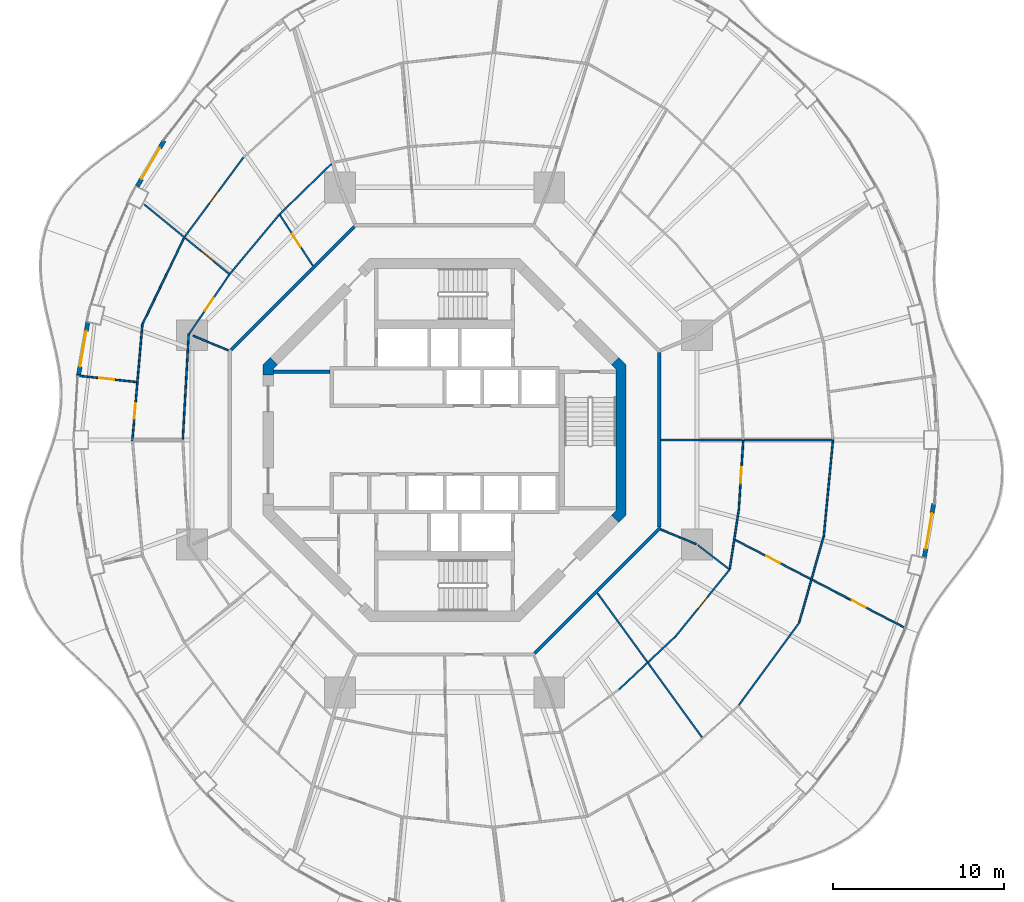
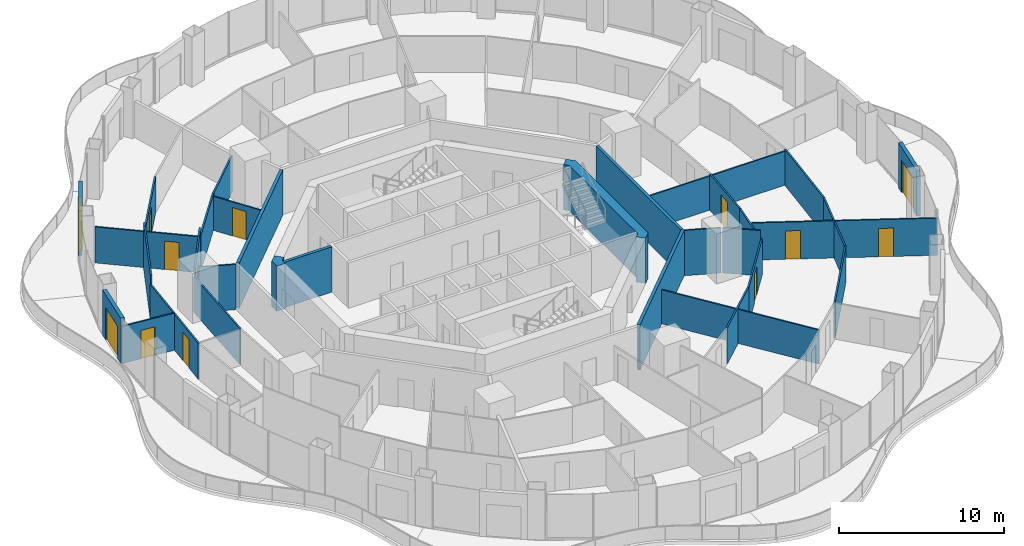
# One storey, part 13 of 19: 32 walls, 13 doors, 13 openings.
"""IFC4 building model written with IfcOpenShell, lengths in metres."""

from ifc_helpers import new_model, si_unit, direction, frame, frame_2d, origin, place, context, subcontext, project, spatial, polyline, rectangle, outline, extrude, material, layer, layer_set, type_object, element, fill, save


model = new_model("IFC4")

# Units and contexts
model_context = context("Model", 3, precision=1e-05, world=origin(), true_north=direction((0.0, 1.0)))
body_context = subcontext(model_context, "Body", "Model", "MODEL_VIEW")
ifc_project = project(units=[si_unit("LENGTHUNIT", "METRE"), si_unit("AREAUNIT", "SQUARE_METRE"), si_unit("VOLUMEUNIT", "CUBIC_METRE"), si_unit("PLANEANGLEUNIT", "RADIAN"), si_unit("MASSUNIT", "GRAM", prefix="KILO")], contexts=[model_context])

# Site, building, storey
site_placement = place(None, origin())
site = spatial("IfcSite", under=ifc_project, at=site_placement, CompositionType="ELEMENT")
building_placement = place(site_placement, origin())
building = spatial("IfcBuilding", under=site, at=building_placement, Name="Nagisa Residences", CompositionType="ELEMENT")
storey_placement = place(building_placement, frame((0.0, 0.0, 202.89990234375)))
storey = spatial("IfcBuildingStorey", under=building, at=storey_placement, Name="L51", CompositionType="ELEMENT", Elevation=202.89990234375)

# Walls
ifc_material_1 = material(Name="Gypsum board on steel studs", Category="steel")
ifc_layer_1 = layer(ifc_material_1, 0.199951171875)
ifc_layer_set_1 = layer_set([ifc_layer_1], Name="Apartment entry wall EI60 200")
wall_type_1 = type_object("IfcWallType", Name="Apartment entry wall EI60 200", PredefinedType="PARTITIONING", material=ifc_layer_set_1)
wall_1_placement = place(storey_placement, frame((12.564697265625, -5.1044921875, 0.0), z_axis=(0.0, 0.0, 1.0), x_axis=(0.0, 1.0, 0.0)))
element("IfcWall", 1, at=wall_1_placement, inside=storey, type_object=wall_type_1, Name="wall:L51:u06", PredefinedType="PARTITIONING", context=body_context, shape_type="SweptSolid", body=[
    extrude(rectangle(XDim=10.208984375, YDim=0.199951171875, at=frame_2d((5.1044921875, 0.0))), origin(), (0.0, 0.0, 1.0), 3.35009765625),
])
wall_2_placement = place(storey_placement, frame((-5.275146484375, 12.494140625, 0.0), z_axis=(0.0, 0.0, 1.0), x_axis=(-0.707106781187, -0.707106781187, 0.0)))
element("IfcWall", 2, at=wall_2_placement, inside=storey, type_object=wall_type_1, Name="wall:L51:u09", PredefinedType="PARTITIONING", context=body_context, shape_type="SweptSolid", body=[
    extrude(rectangle(XDim=10.209228515625, YDim=0.199951171875, at=frame_2d((5.1044921875, 0.0))), origin(), (0.0, 0.0, 1.0), 3.35009765625),
])
wall_3_placement = place(storey_placement, frame((5.275146484375, -12.494140625, 0.0), z_axis=(0.0, 0.0, 1.0), x_axis=(0.707106781187, 0.707106781187, 0.0)))
element("IfcWall", 3, at=wall_3_placement, inside=storey, type_object=wall_type_1, Name="wall:L51:u13", PredefinedType="PARTITIONING", context=body_context, shape_type="SweptSolid", body=[
    extrude(rectangle(XDim=10.4091796875, YDim=0.199951171875, at=frame_2d((5.20458984375, 0.0))), origin(), (0.0, 0.0, 1.0), 3.35009765625),
])
ifc_material_2 = material(Name="Gypsum board on steel studs", Category="steel")
ifc_layer_2 = layer(ifc_material_2, 0.10009765625)
ifc_layer_set_2 = layer_set([ifc_layer_2], Name="Apartment partition 100")
wall_type_2 = type_object("IfcWallType", Name="Apartment partition 100", PredefinedType="PARTITIONING", material=ifc_layer_set_2)
wall_4_placement = place(storey_placement, frame((12.664794921875, 0.0, 0.0), z_axis=(0.0, 0.0, 1.0), x_axis=(1.0, 0.0, 0.0)))
element("IfcWall", 4, at=wall_4_placement, inside=storey, type_object=wall_type_2, Name="wall:L51:u14", PredefinedType="PARTITIONING", context=body_context, shape_type="SweptSolid", body=[
    extrude(rectangle(XDim=10.124267578125, YDim=0.10009765625, at=frame_2d((5.06201171875, 0.0))), origin(), (0.0, 0.0, 1.0), 2.51513671875),
])

# Wall, opening, door
wall_5_placement = place(storey_placement, frame((17.484619140625, -0.0498046875, 0.0), z_axis=(0.0, 0.0, 1.0), x_axis=(-0.063673473968, -0.997970785501, 0.0)))
wall_5 = element("IfcWall", 5, at=wall_5_placement, inside=storey, type_object=wall_type_2, Name="wall:L51:u16", PredefinedType="PARTITIONING", context=body_context, shape_type="SweptSolid", body=[
    extrude(rectangle(XDim=4.072021484375, YDim=0.10009765625, at=frame_2d((2.0361328125, 0.0))), origin(), (0.0, 0.0, 1.0), 2.666015625),
])
opening_1_placement = place(wall_5_placement, frame((1.560791015625, 0.0, 0.0)))
opening_1 = element("IfcOpeningElement", 6, at=opening_1_placement, cuts=wall_5, Name="Opening L51-U20", PredefinedType="OPENING", context=body_context, shape_type="SweptSolid", body=[
    extrude(rectangle(XDim=0.89990234375, YDim=2.10009765625, at=frame_2d((0.449951171875, 1.050048828125))), frame((0.0, 0.06005859375, 0.0), z_axis=(0.0, -1.0, 0.0), x_axis=(1.0, 0.0, 0.0)), (0.0, 0.0, 1.0), 0.1201171875),
])
ifc_material_3 = material(Name="Timber door set", Category="wood")
door_type_1 = type_object("IfcDoorType", Name="Apartment door 900x2100", OperationType="NOTDEFINED", PredefinedType="DOOR", material=ifc_material_3)
door_1_placement = place(opening_1_placement, frame((0.89990234375, 0.0, 0.0), x_axis=(-1.0, 0.0, 0.0)))
door_1 = element("IfcDoor", 7, at=door_1_placement, inside=storey, type_object=door_type_1, Name="Door to store, Apartment 51A", OperationType="SINGLE_SWING_LEFT", OverallHeight=2.10009765625, OverallWidth=0.89990234375, PredefinedType="DOOR", context=body_context, shape_type="SweptSolid", body=[
    extrude(rectangle(XDim=0.89990234375, YDim=2.10009765625, at=frame_2d((0.449951171875, 1.050048828125))), frame((0.0, 0.02490234375, 0.0), z_axis=(0.0, -1.0, 0.0), x_axis=(1.0, 0.0, 0.0)), (0.0, 0.0, 1.0), 0.050048828125),
])
fill(opening_1, door_1)

# Walls
wall_6_placement = place(storey_placement, frame((22.734375, -0.0498046875, 0.0), z_axis=(0.0, 0.0, 1.0), x_axis=(-0.0949274088, -0.995484197292, 0.0)))
element("IfcWall", 8, at=wall_6_placement, inside=storey, type_object=wall_type_2, Name="wall:L51:u18", PredefinedType="PARTITIONING", context=body_context, shape_type="SweptSolid", body=[
    extrude(rectangle(XDim=5.647705078125, YDim=0.10009765625, at=frame_2d((2.82373046875, 0.0))), origin(), (0.0, 0.0, 1.0), 2.666015625),
])
wall_7_placement = place(storey_placement, frame((-6.6162109375, 16.166259765625, 0.0), z_axis=(0.0, 0.0, 1.0), x_axis=(-0.716919058692, -0.697156412352, 0.0)))
element("IfcWall", 9, at=wall_7_placement, inside=storey, type_object=wall_type_2, Name="wall:L51:u40", PredefinedType="PARTITIONING", context=body_context, shape_type="SweptSolid", body=[
    extrude(rectangle(XDim=4.2001953125, YDim=0.10009765625, at=frame_2d((2.10009765625, 0.0))), origin(), (0.0, 0.0, 1.0), 2.666015625),
])

# Wall, opening, door
wall_8_placement = place(storey_placement, frame((-7.71240234375, 10.1953125, 0.0), z_axis=(0.0, 0.0, 1.0), x_axis=(-0.544170086001, 0.838974920663, 0.0)))
wall_8 = element("IfcWall", 10, at=wall_8_placement, inside=storey, type_object=wall_type_2, Name="wall:L51:u42", PredefinedType="PARTITIONING", context=body_context, shape_type="SweptSolid", body=[
    extrude(rectangle(XDim=3.535400390625, YDim=0.10009765625, at=frame_2d((1.767578125, 0.0))), origin(), (0.0, 0.0, 1.0), 2.51513671875),
])
opening_2_placement = place(wall_8_placement, frame((1.317626953125, 0.0, 0.0)))
opening_2 = element("IfcOpeningElement", 11, at=opening_2_placement, cuts=wall_8, Name="Opening L51-U49", PredefinedType="OPENING", context=body_context, shape_type="SweptSolid", body=[
    extrude(rectangle(XDim=0.89990234375, YDim=2.10009765625, at=frame_2d((0.449951171875, 1.050048828125))), frame((0.0, 0.06005859375, 0.0), z_axis=(0.0, -1.0, 0.0), x_axis=(1.0, 0.0, 0.0)), (0.0, 0.0, 1.0), 0.1201171875),
])
door_2_placement = place(opening_2_placement, frame((0.89990234375, 0.0, 0.0), x_axis=(-1.0, 0.0, 0.0)))
door_2 = element("IfcDoor", 12, at=door_2_placement, inside=storey, type_object=door_type_1, Name="Door to store, Apartment 51C", OperationType="SINGLE_SWING_RIGHT", OverallHeight=2.10009765625, OverallWidth=0.89990234375, PredefinedType="DOOR", context=body_context, shape_type="SweptSolid", body=[
    extrude(rectangle(XDim=0.89990234375, YDim=2.10009765625, at=frame_2d((0.449951171875, 1.050048828125))), frame((0.0, 0.02490234375, 0.0), z_axis=(0.0, -1.0, 0.0), x_axis=(1.0, 0.0, 0.0)), (0.0, 0.0, 1.0), 0.050048828125),
])
fill(opening_2, door_2)

# Wall
wall_9_placement = place(storey_placement, frame((-9.63134765625, 13.24169921875, 0.0), z_axis=(0.0, 0.0, 1.0), x_axis=(-0.640315711982, -0.768111833647, 0.0)))
element("IfcWall", 13, at=wall_9_placement, inside=storey, type_object=wall_type_2, Name="wall:L51:u43", PredefinedType="PARTITIONING", context=body_context, shape_type="SweptSolid", body=[
    extrude(rectangle(XDim=4.571533203125, YDim=0.10009765625, at=frame_2d((2.28564453125, 0.0))), origin(), (0.0, 0.0, 1.0), 2.666015625),
])

# Wall, opening, door
wall_10_placement = place(storey_placement, frame((-11.77294921875, 16.54150390625, 0.0), z_axis=(0.0, 0.0, 1.0), x_axis=(-0.594694305999, -0.803951915485, 0.0)))
wall_10 = element("IfcWall", 14, at=wall_10_placement, inside=storey, type_object=wall_type_2, Name="wall:L51:u44", PredefinedType="PARTITIONING", context=body_context, shape_type="SweptSolid", body=[
    extrude(rectangle(XDim=5.771728515625, YDim=0.10009765625, at=frame_2d((2.8857421875, 0.0))), origin(), (0.0, 0.0, 1.0), 2.666015625),
])
opening_3_placement = place(wall_10_placement, frame((2.460693359375, 0.0, 0.0)))
opening_3 = element("IfcOpeningElement", 15, at=opening_3_placement, cuts=wall_10, Name="Opening L51-U48", PredefinedType="OPENING", context=body_context, shape_type="SweptSolid", body=[
    extrude(rectangle(XDim=0.89990234375, YDim=2.10009765625, at=frame_2d((0.449951171875, 1.050048828125))), frame((0.0, 0.06005859375, 0.0), z_axis=(0.0, -1.0, 0.0), x_axis=(1.0, 0.0, 0.0)), (0.0, 0.0, 1.0), 0.1201171875),
])
door_3_placement = place(opening_3_placement, frame((0.89990234375, 0.0, 0.0), x_axis=(-1.0, 0.0, 0.0)))
door_3 = element("IfcDoor", 16, at=door_3_placement, inside=storey, type_object=door_type_1, Name="Door to family room, Apartment 51C", OperationType="SINGLE_SWING_LEFT", OverallHeight=2.10009765625, OverallWidth=0.89990234375, PredefinedType="DOOR", context=body_context, shape_type="SweptSolid", body=[
    extrude(rectangle(XDim=0.89990234375, YDim=2.10009765625, at=frame_2d((0.449951171875, 1.050048828125))), frame((0.0, 0.02490234375, 0.0), z_axis=(0.0, -1.0, 0.0), x_axis=(1.0, 0.0, 0.0)), (0.0, 0.0, 1.0), 0.050048828125),
])
fill(opening_3, door_3)

wall_11_placement = place(storey_placement, frame((-12.552001953125, 9.66015625, 0.0), z_axis=(0.0, 0.0, 1.0), x_axis=(-0.773134336716, 0.634242301799, 0.0)))
wall_11 = element("IfcWall", 17, at=wall_11_placement, inside=storey, type_object=wall_type_2, Name="wall:L51:u45", PredefinedType="PARTITIONING", context=body_context, shape_type="SweptSolid", body=[
    extrude(rectangle(XDim=6.494873046875, YDim=0.10009765625, at=frame_2d((3.24755859375, 0.0))), origin(), (0.0, 0.0, 1.0), 2.666015625),
])
opening_4_placement = place(wall_11_placement, frame((1.310302734375, 0.0, 0.0)))
opening_4 = element("IfcOpeningElement", 18, at=opening_4_placement, cuts=wall_11, Name="Opening L51-U47", PredefinedType="OPENING", context=body_context, shape_type="SweptSolid", body=[
    extrude(rectangle(XDim=0.89990234375, YDim=2.10009765625, at=frame_2d((0.449951171875, 1.050048828125))), frame((0.0, 0.06005859375, 0.0), z_axis=(0.0, -1.0, 0.0), x_axis=(1.0, 0.0, 0.0)), (0.0, 0.0, 1.0), 0.1201171875),
])
door_4_placement = place(opening_4_placement, frame((0.89990234375, 0.0, 0.0), x_axis=(-1.0, 0.0, 0.0)))
door_4 = element("IfcDoor", 19, at=door_4_placement, inside=storey, type_object=door_type_1, Name="Door to dining room, Apartment 51C", OperationType="SINGLE_SWING_RIGHT", OverallHeight=2.10009765625, OverallWidth=0.89990234375, PredefinedType="DOOR", context=body_context, shape_type="SweptSolid", body=[
    extrude(rectangle(XDim=0.89990234375, YDim=2.10009765625, at=frame_2d((0.449951171875, 1.050048828125))), frame((0.0, 0.02490234375, 0.0), z_axis=(0.0, -1.0, 0.0), x_axis=(1.0, 0.0, 0.0)), (0.0, 0.0, 1.0), 0.050048828125),
])
fill(opening_4, door_4)

wall_12_placement = place(storey_placement, frame((-12.61865234375, 9.650390625, 0.0), z_axis=(0.0, 0.0, 1.0), x_axis=(-0.561064907171, -0.827771810308, 0.0)))
wall_12 = element("IfcWall", 20, at=wall_12_placement, inside=storey, type_object=wall_type_2, Name="wall:L51:u46", PredefinedType="PARTITIONING", context=body_context, shape_type="SweptSolid", body=[
    extrude(rectangle(XDim=4.15869140625, YDim=0.10009765625, at=frame_2d((2.079345703125, 0.0))), origin(), (0.0, 0.0, 1.0), 3.35009765625),
])
opening_5_placement = place(wall_12_placement, frame((1.62939453125, 0.0, 0.0)))
opening_5 = element("IfcOpeningElement", 21, at=opening_5_placement, cuts=wall_12, Name="Opening L51-U46", PredefinedType="OPENING", context=body_context, shape_type="SweptSolid", body=[
    extrude(rectangle(XDim=0.89990234375, YDim=2.10009765625, at=frame_2d((0.449951171875, 1.050048828125))), frame((0.0, 0.06005859375, 0.0), z_axis=(0.0, -1.0, 0.0), x_axis=(1.0, 0.0, 0.0)), (0.0, 0.0, 1.0), 0.1201171875),
])
door_5_placement = place(opening_5_placement, origin())
door_5 = element("IfcDoor", 22, at=door_5_placement, inside=storey, type_object=door_type_1, Name="Door to laundry, Apartment 51C", OperationType="SINGLE_SWING_RIGHT", OverallHeight=2.10009765625, OverallWidth=0.89990234375, PredefinedType="DOOR", context=body_context, shape_type="SweptSolid", body=[
    extrude(rectangle(XDim=0.89990234375, YDim=2.10009765625, at=frame_2d((0.449951171875, 1.050048828125))), frame((0.0, 0.02490234375, 0.0), z_axis=(0.0, -1.0, 0.0), x_axis=(1.0, 0.0, 0.0)), (0.0, 0.0, 1.0), 0.050048828125),
])
fill(opening_5, door_5)

# Walls
wall_13_placement = place(storey_placement, frame((-15.2568359375, 11.816162109375, 0.0), z_axis=(0.0, 0.0, 1.0), x_axis=(-0.434040130629, -0.900893536997, 0.0)))
element("IfcWall", 23, at=wall_13_placement, inside=storey, type_object=wall_type_2, Name="wall:L51:u47", PredefinedType="PARTITIONING", context=body_context, shape_type="SweptSolid", body=[
    extrude(rectangle(XDim=5.557861328125, YDim=0.10009765625, at=frame_2d((2.77880859375, 0.0))), origin(), (0.0, 0.0, 1.0), 3.35009765625),
])
wall_14_placement = place(storey_placement, frame((-12.6572265625, 5.24267578125, 0.0), z_axis=(0.0, 0.0, 1.0), x_axis=(-0.923864733477, 0.382719158442, 0.0)))
element("IfcWall", 24, at=wall_14_placement, inside=storey, type_object=wall_type_2, Name="wall:L51:u48", PredefinedType="PARTITIONING", context=body_context, shape_type="SweptSolid", body=[
    extrude(rectangle(XDim=2.25, YDim=0.10009765625, at=frame_2d((1.125, 0.0))), origin(), (0.0, 0.0, 1.0), 3.35009765625),
])
wall_15_placement = place(storey_placement, frame((-14.97705078125, 6.216552734375, 0.0), z_axis=(0.0, 0.0, 1.0), x_axis=(-0.056325971574, -0.998412432277, 0.0)))
element("IfcWall", 25, at=wall_15_placement, inside=storey, type_object=wall_type_2, Name="wall:L51:u49", PredefinedType="PARTITIONING", context=body_context, shape_type="SweptSolid", body=[
    extrude(rectangle(XDim=6.176513671875, YDim=0.10009765625, at=frame_2d((3.08837890625, 0.0))), origin(), (0.0, 0.0, 1.0), 2.666015625),
])

# Wall, opening, door
wall_16_placement = place(storey_placement, frame((-17.686767578125, 6.813720703125, 0.0), z_axis=(0.0, 0.0, 1.0), x_axis=(-0.086010249709, -0.996294252189, 0.0)))
wall_16 = element("IfcWall", 26, at=wall_16_placement, inside=storey, type_object=wall_type_2, Name="wall:L51:u50", PredefinedType="PARTITIONING", context=body_context, shape_type="SweptSolid", body=[
    extrude(rectangle(XDim=6.88916015625, YDim=0.10009765625, at=frame_2d((3.444580078125, 0.0))), origin(), (0.0, 0.0, 1.0), 2.666015625),
])
opening_6_placement = place(wall_16_placement, frame((4.69189453125, 0.0, 0.0)))
opening_6 = element("IfcOpeningElement", 27, at=opening_6_placement, cuts=wall_16, Name="Opening L51-U43", PredefinedType="OPENING", context=body_context, shape_type="SweptSolid", body=[
    extrude(rectangle(XDim=0.89990234375, YDim=2.10009765625, at=frame_2d((0.449951171875, 1.050048828125))), frame((0.0, 0.06005859375, 0.0), z_axis=(0.0, -1.0, 0.0), x_axis=(1.0, 0.0, 0.0)), (0.0, 0.0, 1.0), 0.1201171875),
])
door_6_placement = place(opening_6_placement, origin())
door_6 = element("IfcDoor", 28, at=door_6_placement, inside=storey, type_object=door_type_1, Name="Door to kitchen, Apartment 51C", OperationType="SINGLE_SWING_LEFT", OverallHeight=2.10009765625, OverallWidth=0.89990234375, PredefinedType="DOOR", context=body_context, shape_type="SweptSolid", body=[
    extrude(rectangle(XDim=0.89990234375, YDim=2.10009765625, at=frame_2d((0.449951171875, 1.050048828125))), frame((0.0, 0.02490234375, 0.0), z_axis=(0.0, -1.0, 0.0), x_axis=(1.0, 0.0, 0.0)), (0.0, 0.0, 1.0), 0.050048828125),
])
fill(opening_6, door_6)

wall_17_placement = place(storey_placement, frame((-18.03271484375, 3.387451171875, 0.0), z_axis=(0.0, 0.0, 1.0), x_axis=(-0.994194772207, 0.107595329438, 0.0)))
wall_17 = element("IfcWall", 29, at=wall_17_placement, inside=storey, type_object=wall_type_2, Name="wall:L51:u51", PredefinedType="PARTITIONING", context=body_context, shape_type="SweptSolid", body=[
    extrude(rectangle(XDim=3.505615234375, YDim=0.10009765625, at=frame_2d((1.7529296875, 0.0))), origin(), (0.0, 0.0, 1.0), 2.7470703125),
])
opening_7_placement = place(wall_17_placement, frame((1.302978515625, 0.0, 0.0)))
opening_7 = element("IfcOpeningElement", 30, at=opening_7_placement, cuts=wall_17, Name="Opening L51-U45", PredefinedType="OPENING", context=body_context, shape_type="SweptSolid", body=[
    extrude(rectangle(XDim=0.89990234375, YDim=2.10009765625, at=frame_2d((0.449951171875, 1.050048828125))), frame((0.0, 0.06005859375, 0.0), z_axis=(0.0, -1.0, 0.0), x_axis=(1.0, 0.0, 0.0)), (0.0, 0.0, 1.0), 0.1201171875),
])
door_7_placement = place(opening_7_placement, frame((0.89990234375, 0.0, 0.0), x_axis=(-1.0, 0.0, 0.0)))
door_7 = element("IfcDoor", 31, at=door_7_placement, inside=storey, type_object=door_type_1, Name="Door to bedroom, Apartment 51C", OperationType="SINGLE_SWING_RIGHT", OverallHeight=2.10009765625, OverallWidth=0.89990234375, PredefinedType="DOOR", context=body_context, shape_type="SweptSolid", body=[
    extrude(rectangle(XDim=0.89990234375, YDim=2.10009765625, at=frame_2d((0.449951171875, 1.050048828125))), frame((0.0, 0.02490234375, 0.0), z_axis=(0.0, -1.0, 0.0), x_axis=(1.0, 0.0, 0.0)), (0.0, 0.0, 1.0), 0.050048828125),
])
fill(opening_7, door_7)

# Walls
wall_18_placement = place(storey_placement, frame((10.21044921875, -14.614013671875, 0.0), z_axis=(0.0, 0.0, 1.0), x_axis=(0.728883199496, 0.684638066055, 0.0)))
element("IfcWall", 32, at=wall_18_placement, inside=storey, type_object=wall_type_2, Name="wall:L51:u81", PredefinedType="PARTITIONING", context=body_context, shape_type="SweptSolid", body=[
    extrude(rectangle(XDim=4.519287109375, YDim=0.10009765625, at=frame_2d((2.259765625, 0.0))), origin(), (0.0, 0.0, 1.0), 2.666015625),
])
wall_19_placement = place(storey_placement, frame((8.943359375, -8.965576171875, 0.0), z_axis=(0.0, 0.0, 1.0), x_axis=(0.587181355751, -0.809455406714, 0.0)))
element("IfcWall", 33, at=wall_19_placement, inside=storey, type_object=wall_type_2, Name="wall:L51:u83", PredefinedType="PARTITIONING", context=body_context, shape_type="SweptSolid", body=[
    extrude(rectangle(XDim=10.441162109375, YDim=0.10009765625, at=frame_2d((5.220703125, 0.0))), origin(), (0.0, 0.0, 1.0), 2.51513671875),
])

# Wall, opening, door
wall_20_placement = place(storey_placement, frame((13.50927734375, -11.524658203125, 0.0), z_axis=(0.0, 0.0, 1.0), x_axis=(0.628778729481, 0.777584277974, 0.0)))
wall_20 = element("IfcWall", 34, at=wall_20_placement, inside=storey, type_object=wall_type_2, Name="wall:L51:u84", PredefinedType="PARTITIONING", context=body_context, shape_type="SweptSolid", body=[
    extrude(rectangle(XDim=5.107421875, YDim=0.10009765625, at=frame_2d((2.5537109375, 0.0))), origin(), (0.0, 0.0, 1.0), 2.666015625),
])
opening_8_placement = place(wall_20_placement, frame((2.103759765625, 0.0, 0.0)))
opening_8 = element("IfcOpeningElement", 35, at=opening_8_placement, cuts=wall_20, Name="Opening L51-U19", PredefinedType="OPENING", context=body_context, shape_type="SweptSolid", body=[
    extrude(rectangle(XDim=0.89990234375, YDim=2.10009765625, at=frame_2d((0.449951171875, 1.050048828125))), frame((0.0, 0.06005859375, 0.0), z_axis=(0.0, -1.0, 0.0), x_axis=(1.0, 0.0, 0.0)), (0.0, 0.0, 1.0), 0.1201171875),
])
door_8_placement = place(opening_8_placement, origin())
door_8 = element("IfcDoor", 36, at=door_8_placement, inside=storey, type_object=door_type_1, Name="Door to laundry, Apartment 51A", OperationType="SINGLE_SWING_LEFT", OverallHeight=2.10009765625, OverallWidth=0.89990234375, PredefinedType="DOOR", context=body_context, shape_type="SweptSolid", body=[
    extrude(rectangle(XDim=0.89990234375, YDim=2.10009765625, at=frame_2d((0.449951171875, 1.050048828125))), frame((0.0, 0.02490234375, 0.0), z_axis=(0.0, -1.0, 0.0), x_axis=(1.0, 0.0, 0.0)), (0.0, 0.0, 1.0), 0.050048828125),
])
fill(opening_8, door_8)

# Walls
wall_21_placement = place(storey_placement, frame((17.228515625, -15.528564453125, 0.0), z_axis=(0.0, 0.0, 1.0), x_axis=(0.591117075283, 0.806585769345, 0.0)))
element("IfcWall", 37, at=wall_21_placement, inside=storey, type_object=wall_type_2, Name="wall:L51:u86", PredefinedType="PARTITIONING", context=body_context, shape_type="SweptSolid", body=[
    extrude(rectangle(XDim=6.009765625, YDim=0.10009765625, at=frame_2d((3.0048828125, 0.0))), origin(), (0.0, 0.0, 1.0), 2.666015625),
])
wall_22_placement = place(storey_placement, frame((12.6572265625, -5.24267578125, 0.0), z_axis=(0.0, 0.0, 1.0), x_axis=(0.923826362943, -0.382811769845, 0.0)))
element("IfcWall", 38, at=wall_22_placement, inside=storey, type_object=wall_type_2, Name="wall:L51:u87", PredefinedType="PARTITIONING", context=body_context, shape_type="SweptSolid", body=[
    extrude(rectangle(XDim=2.25, YDim=0.10009765625, at=frame_2d((1.125, 0.0))), origin(), (0.0, 0.0, 1.0), 3.35009765625),
])
wall_23_placement = place(storey_placement, frame((14.82177734375, -6.153564453125, 0.0), z_axis=(0.0, 0.0, 1.0), x_axis=(0.792226528082, -0.610227111987, 0.0)))
element("IfcWall", 39, at=wall_23_placement, inside=storey, type_object=wall_type_2, Name="wall:L51:u88", PredefinedType="PARTITIONING", context=body_context, shape_type="SweptSolid", body=[
    extrude(rectangle(XDim=2.307373046875, YDim=0.10009765625, at=frame_2d((1.15380859375, 0.0))), origin(), (0.0, 0.0, 1.0), 3.35009765625),
])
wall_24_placement = place(storey_placement, frame((16.69677734375, -7.542724609375, 0.0), z_axis=(0.0, 0.0, 1.0), x_axis=(0.151078880423, 0.988521710379, 0.0)))
element("IfcWall", 40, at=wall_24_placement, inside=storey, type_object=wall_type_2, Name="wall:L51:u89", PredefinedType="PARTITIONING", context=body_context, shape_type="SweptSolid", body=[
    extrude(rectangle(XDim=3.469482421875, YDim=0.10009765625, at=frame_2d((1.73486328125, 0.0))), origin(), (0.0, 0.0, 1.0), 2.666015625),
])
wall_25_placement = place(storey_placement, frame((20.76513671875, -10.67333984375, 0.0), z_axis=(0.0, 0.0, 1.0), x_axis=(0.273815967041, 0.961782104322, 0.0)))
element("IfcWall", 41, at=wall_25_placement, inside=storey, type_object=wall_type_2, Name="wall:L51:u90", PredefinedType="PARTITIONING", context=body_context, shape_type="SweptSolid", body=[
    extrude(rectangle(XDim=5.20166015625, YDim=0.10009765625, at=frame_2d((2.600830078125, 0.0))), origin(), (0.0, 0.0, 1.0), 2.666015625),
])

# Wall, openings, doors
wall_26_placement = place(storey_placement, frame((17.003173828125, -5.850830078125, 0.0), z_axis=(0.0, 0.0, 1.0), x_axis=(0.888005628038, -0.4598325832, 0.0)))
wall_26 = element("IfcWall", 42, at=wall_26_placement, inside=storey, type_object=wall_type_2, Name="wall:L51:u91", PredefinedType="PARTITIONING", context=body_context, shape_type="SweptSolid", body=[
    extrude(rectangle(XDim=11.266357421875, YDim=0.10009765625, at=frame_2d((5.63330078125, 0.0))), origin(), (0.0, 0.0, 1.0), 2.7470703125),
])
opening_9_placement = place(wall_26_placement, frame((7.703369140625, 0.0, 0.0)))
opening_9 = element("IfcOpeningElement", 43, at=opening_9_placement, cuts=wall_26, Name="Opening L51-U11", PredefinedType="OPENING", context=body_context, shape_type="SweptSolid", body=[
    extrude(rectangle(XDim=0.89990234375, YDim=2.10009765625, at=frame_2d((0.449951171875, 1.050048828125))), frame((0.0, 0.06005859375, 0.0), z_axis=(0.0, -1.0, 0.0), x_axis=(1.0, 0.0, 0.0)), (0.0, 0.0, 1.0), 0.1201171875),
])
opening_10_placement = place(wall_26_placement, frame((2.070068359375, 0.0, 0.0)))
opening_10 = element("IfcOpeningElement", 44, at=opening_10_placement, cuts=wall_26, Name="Opening L51-U15", PredefinedType="OPENING", context=body_context, shape_type="SweptSolid", body=[
    extrude(rectangle(XDim=0.89990234375, YDim=2.10009765625, at=frame_2d((0.449951171875, 1.050048828125))), frame((0.0, 0.06005859375, 0.0), z_axis=(0.0, -1.0, 0.0), x_axis=(1.0, 0.0, 0.0)), (0.0, 0.0, 1.0), 0.1201171875),
])
door_9_placement = place(opening_9_placement, origin())
door_9 = element("IfcDoor", 45, at=door_9_placement, inside=storey, type_object=door_type_1, Name="Door to living room, Apartment 51A", OperationType="SINGLE_SWING_LEFT", OverallHeight=2.10009765625, OverallWidth=0.89990234375, PredefinedType="DOOR", context=body_context, shape_type="SweptSolid", body=[
    extrude(rectangle(XDim=0.89990234375, YDim=2.10009765625, at=frame_2d((0.449951171875, 1.050048828125))), frame((0.0, 0.02490234375, 0.0), z_axis=(0.0, -1.0, 0.0), x_axis=(1.0, 0.0, 0.0)), (0.0, 0.0, 1.0), 0.050048828125),
])
fill(opening_9, door_9)
door_10_placement = place(opening_10_placement, origin())
door_10 = element("IfcDoor", 46, at=door_10_placement, inside=storey, type_object=door_type_1, Name="Door to kitchen, Apartment 51A", OperationType="SINGLE_SWING_LEFT", OverallHeight=2.10009765625, OverallWidth=0.89990234375, PredefinedType="DOOR", context=body_context, shape_type="SweptSolid", body=[
    extrude(rectangle(XDim=0.89990234375, YDim=2.10009765625, at=frame_2d((0.449951171875, 1.050048828125))), frame((0.0, 0.02490234375, 0.0), z_axis=(0.0, -1.0, 0.0), x_axis=(1.0, 0.0, 0.0)), (0.0, 0.0, 1.0), 0.050048828125),
])
fill(opening_10, door_10)

# Wall, opening, door
ifc_material_4 = material(Name="Precast concrete C40/50", Category="concrete")
ifc_layer_3 = layer(ifc_material_4, 0.25)
ifc_layer_set_3 = layer_set([ifc_layer_3], Name="BALCONY DOOR WALL 250")
wall_type_3 = type_object("IfcWallType", Name="BALCONY DOOR WALL 250", PredefinedType="SOLIDWALL", material=ifc_layer_set_3)
wall_27_placement = place(storey_placement, frame((-17.989013671875, 14.848388671875, 0.0), z_axis=(0.0, 0.0, 1.0), x_axis=(0.506309086483, 0.862352079458, 0.0)))
wall_27 = element("IfcWall", 47, at=wall_27_placement, inside=storey, type_object=wall_type_3, Name="wall:L51:bay19", PredefinedType="SOLIDWALL", context=body_context, shape_type="SweptSolid", body=[
    extrude(rectangle(XDim=3.091796875, YDim=0.25, at=frame_2d((1.5458984375, 0.0))), origin(), (0.0, 0.0, 1.0), 3.35009765625),
])
opening_11_placement = place(wall_27_placement, frame((0.495849609375, 0.0, 0.0)))
opening_11 = element("IfcOpeningElement", 48, at=opening_11_placement, cuts=wall_27, Name="Opening BD-L51-07", PredefinedType="OPENING", context=body_context, shape_type="SweptSolid", body=[
    extrude(rectangle(XDim=2.10009765625, YDim=2.39990234375, at=frame_2d((1.050048828125, 1.199951171875))), frame((0.0, 0.135009765625, 0.0), z_axis=(0.0, -1.0, 0.0), x_axis=(1.0, 0.0, 0.0)), (0.0, 0.0, 1.0), 0.27001953125),
])
ifc_material_5 = material(Name="Aluminium and clear glass", Category="aluminium")
door_type_2 = type_object("IfcDoorType", Name="BALCONY SLIDING DOOR 2100x2400", OperationType="SLIDING_TO_LEFT", PredefinedType="DOOR", material=ifc_material_5)
door_11_placement = place(opening_11_placement, origin())
door_11 = element("IfcDoor", 49, at=door_11_placement, inside=storey, type_object=door_type_2, Name="door:L51:bay19", OperationType="SLIDING_TO_LEFT", OverallHeight=2.39990234375, OverallWidth=2.10009765625, PredefinedType="DOOR", context=body_context, shape_type="SweptSolid", body=[
    extrude(rectangle(XDim=2.10009765625, YDim=2.39990234375, at=frame_2d((1.050048828125, 1.199951171875))), frame((0.0, 0.02490234375, 0.0), z_axis=(0.0, -1.0, 0.0), x_axis=(1.0, 0.0, 0.0)), (0.0, 0.0, 1.0), 0.050048828125),
])
fill(opening_11, door_11)

wall_28_placement = place(storey_placement, frame((-21.434814453125, 3.747314453125, 0.0), z_axis=(0.0, 0.0, 1.0), x_axis=(0.172223552479, 0.98505789067, 0.0)))
wall_28 = element("IfcWall", 50, at=wall_28_placement, inside=storey, type_object=wall_type_3, Name="wall:L51:bay22", PredefinedType="SOLIDWALL", context=body_context, shape_type="SweptSolid", body=[
    extrude(rectangle(XDim=3.2109375, YDim=0.25, at=frame_2d((1.60546875, 0.0))), origin(), (0.0, 0.0, 1.0), 3.35009765625),
])
opening_12_placement = place(wall_28_placement, frame((0.555419921875, 0.0, 0.0)))
opening_12 = element("IfcOpeningElement", 51, at=opening_12_placement, cuts=wall_28, Name="Opening BD-L51-08", PredefinedType="OPENING", context=body_context, shape_type="SweptSolid", body=[
    extrude(rectangle(XDim=2.10009765625, YDim=2.39990234375, at=frame_2d((1.050048828125, 1.199951171875))), frame((0.0, 0.135009765625, 0.0), z_axis=(0.0, -1.0, 0.0), x_axis=(1.0, 0.0, 0.0)), (0.0, 0.0, 1.0), 0.27001953125),
])
door_12_placement = place(opening_12_placement, origin())
door_12 = element("IfcDoor", 52, at=door_12_placement, inside=storey, type_object=door_type_2, Name="door:L51:bay22", OperationType="SLIDING_TO_LEFT", OverallHeight=2.39990234375, OverallWidth=2.10009765625, PredefinedType="DOOR", context=body_context, shape_type="SweptSolid", body=[
    extrude(rectangle(XDim=2.10009765625, YDim=2.39990234375, at=frame_2d((1.050048828125, 1.199951171875))), frame((0.0, 0.02490234375, 0.0), z_axis=(0.0, -1.0, 0.0), x_axis=(1.0, 0.0, 0.0)), (0.0, 0.0, 1.0), 0.050048828125),
])
fill(opening_12, door_12)

wall_29_placement = place(storey_placement, frame((28.634765625, -3.747314453125, 0.0), z_axis=(0.0, 0.0, 1.0), x_axis=(-0.172149769468, -0.985070787747, 0.0)))
wall_29 = element("IfcWall", 53, at=wall_29_placement, inside=storey, type_object=wall_type_3, Name="wall:L51:bay46", PredefinedType="SOLIDWALL", context=body_context, shape_type="SweptSolid", body=[
    extrude(rectangle(XDim=3.210693359375, YDim=0.25, at=frame_2d((1.60546875, 0.0))), origin(), (0.0, 0.0, 1.0), 3.35009765625),
])
opening_13_placement = place(wall_29_placement, frame((0.555419921875, 0.0, 0.0)))
opening_13 = element("IfcOpeningElement", 54, at=opening_13_placement, cuts=wall_29, Name="Opening BD-L51-16", PredefinedType="OPENING", context=body_context, shape_type="SweptSolid", body=[
    extrude(rectangle(XDim=2.10009765625, YDim=2.39990234375, at=frame_2d((1.050048828125, 1.199951171875))), frame((0.0, 0.135009765625, 0.0), z_axis=(0.0, -1.0, 0.0), x_axis=(1.0, 0.0, 0.0)), (0.0, 0.0, 1.0), 0.27001953125),
])
door_13_placement = place(opening_13_placement, origin())
door_13 = element("IfcDoor", 55, at=door_13_placement, inside=storey, type_object=door_type_2, Name="door:L51:bay46", OperationType="SLIDING_TO_LEFT", OverallHeight=2.39990234375, OverallWidth=2.10009765625, PredefinedType="DOOR", context=body_context, shape_type="SweptSolid", body=[
    extrude(rectangle(XDim=2.10009765625, YDim=2.39990234375, at=frame_2d((1.050048828125, 1.199951171875))), frame((0.0, 0.02490234375, 0.0), z_axis=(0.0, -1.0, 0.0), x_axis=(1.0, 0.0, 0.0)), (0.0, 0.0, 1.0), 0.050048828125),
])
fill(opening_13, door_13)

# Walls
ifc_material_6 = material(Name="Gypsum board on steel studs", Category="steel")
ifc_layer_4 = layer(ifc_material_6, 0.199951171875)
ifc_layer_set_4 = layer_set([ifc_layer_4], Name="Core partition 200")
wall_type_4 = type_object("IfcWallType", Name="Core partition 200", PredefinedType="PARTITIONING", material=ifc_layer_set_4)
wall_30_placement = place(storey_placement, frame((-10.024658203125, 4.0, 0.0), z_axis=(0.0, 0.0, 1.0), x_axis=(1.0, 0.0, 0.0)))
element("IfcWall", 56, at=wall_30_placement, inside=storey, type_object=wall_type_4, Name="wall:L51:PNW", PredefinedType="PARTITIONING", context=body_context, shape_type="SweptSolid", body=[
    extrude(rectangle(XDim=3.32470703125, YDim=0.199951171875, at=frame_2d((1.662353515625, 0.0))), origin(), (0.0, 0.0, 1.0), 3.35009765625),
])
ifc_material_7 = material(Name="Concrete C60", Category="concrete")
ifc_layer_5 = layer(ifc_material_7, 0.60009765625)
ifc_layer_set_5 = layer_set([ifc_layer_5], Name="Core shear wall 600")
wall_type_5 = type_object("IfcWallType", Name="Core shear wall 600", PredefinedType="SHEAR", material=ifc_layer_set_5)
wall_31_placement = place(storey_placement, origin())
element("IfcWall", 57, at=wall_31_placement, inside=storey, type_object=wall_type_5, Name="wall:L51:core:pier3", PredefinedType="SHEAR", context=body_context, shape_type="SweptSolid", body=[
    extrude(outline(polyline([(-10.200439453125, 4.8251953125), (-9.776123046875, 4.40087890625), (-10.024658203125, 4.15234375), (-10.024658203125, 3.80078125), (-10.62451171875, 3.80078125), (-10.62451171875, 4.40087890625), (-10.200439453125, 4.8251953125)])), origin(), (0.0, 0.0, 1.0), 3.35009765625),
])
wall_32_placement = place(storey_placement, origin())
element("IfcWall", 58, at=wall_32_placement, inside=storey, type_object=wall_type_5, Name="wall:L51:core:flat0", PredefinedType="SHEAR", context=body_context, shape_type="SweptSolid", body=[
    extrude(outline(polyline([(9.776123046875, -4.40087890625), (10.024658203125, -4.15234375), (10.024658203125, -3.801025390625), (10.024658203125, 4.15234375), (9.776123046875, 4.40087890625), (10.200439453125, 4.8251953125), (10.62451171875, 4.40087890625), (10.62451171875, -4.40087890625), (10.200439453125, -4.8251953125), (9.776123046875, -4.40087890625)])), origin(), (0.0, 0.0, 1.0), 3.35009765625),
])

save(model, "model.ifc")
